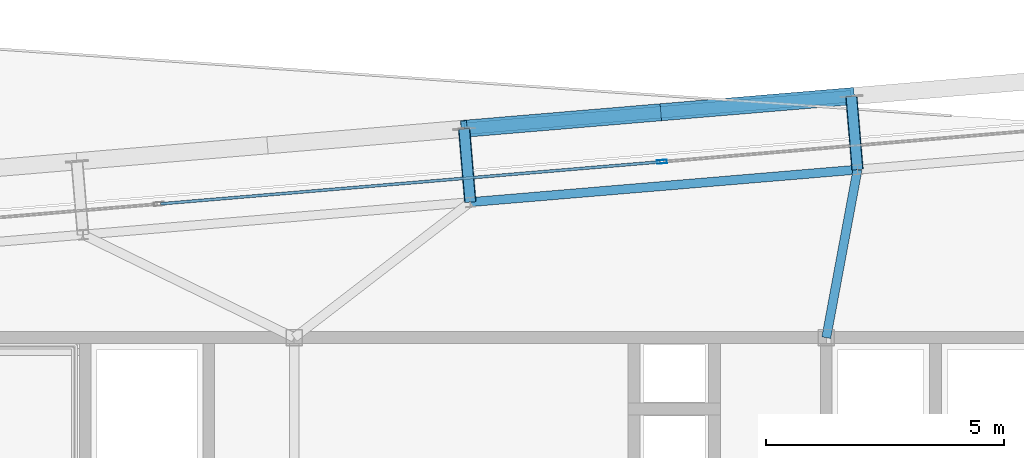
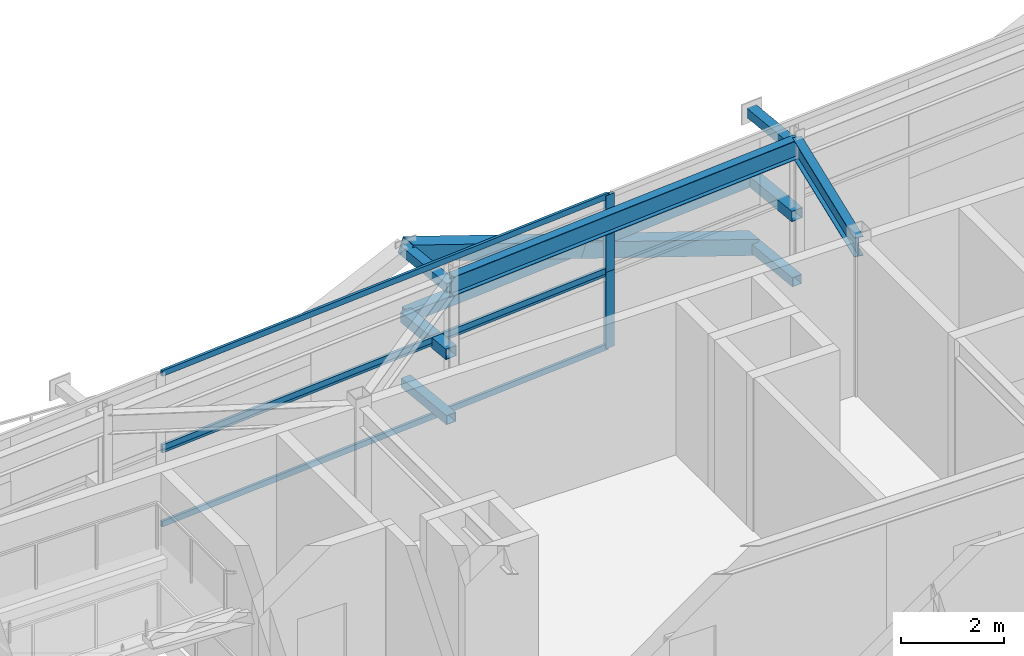
# One storey, part 20 of 38: 15 members, 2 beams, 2 elements without a shape of their own.
"""IFC4 building model written with IfcOpenShell, lengths in metres."""

from ifc_helpers import new_model, si_unit, direction, frame, origin, origin_2d, place, context, subcontext, project, spatial, hollow_rectangle, i_section, extrude, source, transform, mapped, material, layer, layer_set, material_profile, profile_set, type_object, element, aggregate, save


model = new_model("IFC4")

# Units and contexts
model_context = context("Model", 3, precision=1e-05, world=origin(), true_north=direction((0.0, 1.0)))
body_context = subcontext(model_context, "Body", "Model", "MODEL_VIEW")
ifc_project = project(units=[si_unit("LENGTHUNIT", "METRE"), si_unit("AREAUNIT", "SQUARE_METRE"), si_unit("VOLUMEUNIT", "CUBIC_METRE"), si_unit("PLANEANGLEUNIT", "RADIAN"), si_unit("MASSUNIT", "GRAM", prefix="KILO")], contexts=[model_context])

# Site, building, storey
site_placement = place(None, origin())
site = spatial("IfcSite", under=ifc_project, at=site_placement, CompositionType="ELEMENT")
building_placement = place(site_placement, origin())
building = spatial("IfcBuilding", under=site, at=building_placement, Name="Taldren Reach Tower", CompositionType="ELEMENT")
storey_placement = place(building_placement, frame((0.0, 0.0, 168.699951171875)))
storey = spatial("IfcBuildingStorey", under=building, at=storey_placement, Name="L51", CompositionType="ELEMENT", Elevation=168.699951171875)

# Members
ifc_material_1 = material(Name="Steel Gr 350 (C350L0)", Category="steel")
ifc_material_profile_1 = material_profile(ifc_material_1, hollow_rectangle(XDim=0.25, YDim=0.25, WallThickness=0.010009765625, at=origin_2d()), Name="250x250x10.0SHS")
ifc_profile_set_1 = profile_set([ifc_material_profile_1], Name="Steel Gr 350 (C350L0)")
member_type_1 = type_object("IfcMemberType", Name="MB-POST250", PredefinedType="POST", material=ifc_profile_set_1)
shared_shape_1 = source(origin(), body_context, "Body", "SweptSolid", [
    extrude(hollow_rectangle(XDim=0.25, YDim=0.25, WallThickness=0.010009765625, at=origin_2d()), origin(), (0.0, 0.0, 1.0), 1.5498046875),
])
for number, where, z_axis, x_axis, name in (
    (1, (31.706298828125, 34.8525390625, 1.78515625), (-0.083645141657, 0.996495604746, 0.0), (-0.996495604746, -0.083645141657, 0.0), "Exoskeleton mid-tier diaphragm tie B4-N3 L51"),
    (2, (39.857666015625, 35.537109375, 1.78515625), (-0.083645141657, 0.996495604746, 0.0), (-0.996495604746, -0.083645141657, 0.0), "Exoskeleton mid-tier diaphragm tie B4-N4 L51"),
):
    element("IfcMember", number, at=place(storey_placement, frame(where, z_axis=z_axis, x_axis=x_axis)), inside=storey, type_object=member_type_1, Name=name, PredefinedType="POST", context=body_context, shape_type="MappedRepresentation", body=[
        mapped(shared_shape_1, transform((0.0, 0.0, 0.0), scale=1.0)),
    ])

# Beams
ifc_material_2 = material(Name="Steel Gr 350 (350PLUS)", Category="steel")
ifc_material_profile_2 = material_profile(ifc_material_2, i_section(OverallWidth=0.18994140625, OverallDepth=0.4541015625, WebThickness=0.008544921875, FlangeThickness=0.0126953125, at=origin_2d()), Name="460UB67.1")
ifc_profile_set_2 = profile_set([ifc_material_profile_2], Name="Steel Gr 350 (350PLUS)")
beam_type_1 = type_object("IfcBeamType", Name="SP-UB460B", PredefinedType="SPANDREL", material=ifc_profile_set_2)
shared_shape_2 = source(origin(), body_context, "Body", "SweptSolid", [
    extrude(i_section(OverallWidth=0.18994140625, OverallDepth=0.4541015625, WebThickness=0.008544921875, FlangeThickness=0.0126953125, at=origin_2d()), origin(), (0.0, 0.0, 1.0), 8.18017578125),
])
beam_1_placement = place(storey_placement, frame((39.857666015625, 35.537109375, 3.403076171875), z_axis=(-0.996492034688, -0.083687662192, 0.0), x_axis=(0.083687662192, -0.996492034688, 0.0)))
element("IfcBeam", 3, at=beam_1_placement, inside=storey, type_object=beam_type_1, Name="Perimeter spandrel B4 N4-N3 L51", PredefinedType="SPANDREL", context=body_context, shape_type="MappedRepresentation", body=[
    mapped(shared_shape_2, transform((0.0, 0.0, 0.0), scale=1.0)),
])
ifc_material_profile_3 = material_profile(ifc_material_2, i_section(OverallWidth=0.19091796875, OverallDepth=0.4599609375, WebThickness=0.010009765625, FlangeThickness=0.01611328125, at=origin_2d()), Name="460UB82.1")
ifc_profile_set_3 = profile_set([ifc_material_profile_3], Name="Steel Gr 350 (350PLUS)")
beam_type_2 = type_object("IfcBeamType", Name="BM-UB460A", PredefinedType="BEAM", material=ifc_profile_set_3)
shared_shape_3 = source(origin(), body_context, "Body", "SweptSolid", [
    extrude(i_section(OverallWidth=0.19091796875, OverallDepth=0.4599609375, WebThickness=0.010009765625, FlangeThickness=0.01611328125, at=origin_2d()), origin(), (0.0, 0.0, 1.0), 3.59765625),
])
beam_2_placement = place(storey_placement, frame((39.199951171875, 32.0, 3.400146484375), z_axis=(0.182813344882, 0.983147639438, 0.0), x_axis=(-0.983147639438, 0.182813344882, 0.0)))
element("IfcBeam", 4, at=beam_2_placement, inside=storey, type_object=beam_type_2, Name="Primary floor girder B4-N4 L51", PredefinedType="BEAM", context=body_context, shape_type="MappedRepresentation", body=[
    mapped(shared_shape_3, transform((0.0, 0.0, 0.0), scale=1.0)),
])

# Members
ifc_material_3 = material(Name="Steel Gr 450 (C450L0)", Category="steel")
ifc_material_profile_4 = material_profile(ifc_material_3, hollow_rectangle(XDim=0.219970703125, YDim=0.219970703125, WallThickness=0.00830078125, at=origin_2d()), Name="220x220x8.2SHS")
ifc_profile_set_4 = profile_set([ifc_material_profile_4], Name="Steel Gr 450 (C450L0)")
member_type_2 = type_object("IfcMemberType", Name="MB-TIE219", PredefinedType="STRUT", material=ifc_profile_set_4)
shared_shape_4 = source(origin(), body_context, "Body", "SweptSolid", [
    extrude(hollow_rectangle(XDim=0.219970703125, YDim=0.219970703125, WallThickness=0.00830078125, at=origin_2d()), origin(), (0.0, 0.0, 1.0), 1.5498046875),
])
for number, where, z_axis, x_axis, name in (
    (5, (31.706298828125, 34.8525390625, 3.35009765625), (-0.083645141657, 0.996495604746, 0.0), (-0.996495604746, -0.083645141657, 0.0), "Exoskeleton diaphragm tie strut B4-N3 L51"),
    (6, (31.706298828125, 34.8525390625, 0.219970703125), (-0.083645141657, 0.996495604746, 0.0), (-0.996495604746, -0.083645141657, 0.0), "Exoskeleton base diaphragm tie strut B4-N3 L51"),
    (7, (39.857666015625, 35.537109375, 3.35009765625), (-0.083645141657, 0.996495604746, 0.0), (-0.996495604746, -0.083645141657, 0.0), "Exoskeleton diaphragm tie strut B4-N4 L51"),
    (8, (39.857666015625, 35.537109375, 0.219970703125), (-0.083645141657, 0.996495604746, 0.0), (-0.996495604746, -0.083645141657, 0.0), "Exoskeleton base diaphragm tie strut B4-N4 L51"),
):
    element("IfcMember", number, at=place(storey_placement, frame(where, z_axis=z_axis, x_axis=x_axis)), inside=storey, type_object=member_type_2, Name=name, PredefinedType="STRUT", context=body_context, shape_type="MappedRepresentation", body=[
        mapped(shared_shape_4, transform((0.0, 0.0, 0.0), scale=1.0)),
    ])
ifc_material_profile_5 = material_profile(ifc_material_3, hollow_rectangle(XDim=0.360107421875, YDim=0.360107421875, WallThickness=0.0126953125, at=origin_2d()), Name="360x360x12.7SHS")
ifc_profile_set_5 = profile_set([ifc_material_profile_5], Name="Steel Gr 450 (C450L0)")
member_type_3 = type_object("IfcMemberType", Name="MB-EXO356", PredefinedType="BRACE", material=ifc_profile_set_5)
shared_shape_5 = source(origin(), body_context, "Body", "SweptSolid", [
    extrude(hollow_rectangle(XDim=0.360107421875, YDim=0.360107421875, WallThickness=0.0126953125, at=origin_2d()), origin(), (0.0, 0.0, 1.0), 4.379150390625),
])
member_1_placement = place(storey_placement, frame((35.65234375, 36.7392578125, 1.78515625), z_axis=(-0.930691240049, -0.078161562151, 0.357357784157), x_axis=(0.083687662192, -0.996492034688, 0.0)))
element("IfcMember", 9, at=member_1_placement, inside=storey, type_object=member_type_3, Name="Exoskeleton Diagrid Brace B4-N3 L51", PredefinedType="BRACE", context=body_context, shape_type="MappedRepresentation", body=[
    mapped(shared_shape_5, transform((0.0, 0.0, 0.0), scale=1.0)),
])
shared_shape_6 = source(origin(), body_context, "Body", "SweptSolid", [
    extrude(hollow_rectangle(XDim=0.360107421875, YDim=0.360107421875, WallThickness=0.0126953125, at=origin_2d()), origin(), (0.0, 0.0, 1.0), 4.37939453125),
])
member_2_placement = place(storey_placement, frame((39.72802734375, 37.08154296875, 0.219970703125), z_axis=(-0.930672697263, -0.078160004886, 0.357406413212), x_axis=(0.083687662192, -0.996492034688, 0.0)))
element("IfcMember", 10, at=member_2_placement, inside=storey, type_object=member_type_3, Name="Exoskeleton Diagrid Brace B4-N3 L51", PredefinedType="BRACE", context=body_context, shape_type="MappedRepresentation", body=[
    mapped(shared_shape_6, transform((0.0, 0.0, 0.0), scale=1.0)),
])
shared_shape_7 = source(origin(), body_context, "Body", "SweptSolid", [
    extrude(hollow_rectangle(XDim=0.25, YDim=0.25, WallThickness=0.010009765625, at=origin_2d()), origin(), (0.0, 0.0, 1.0), 8.18017578125),
])
member_3_placement = place(storey_placement, frame((31.57666015625, 36.39697265625, 1.78515625), z_axis=(0.996492034688, 0.083687662192, 0.0), x_axis=(-0.083687662192, 0.996492034688, 0.0)))
element("IfcMember", 11, at=member_3_placement, inside=storey, type_object=member_type_1, Name="Exoskeleton mid-height ring chord B4-N3 L51", PredefinedType="POST", context=body_context, shape_type="MappedRepresentation", body=[
    mapped(shared_shape_7, transform((0.0, 0.0, 0.0), scale=1.0)),
])

# Curtain wall, member
ifc_material_4 = material(Name="Aluminium and Low-E Glass Unitised System", Category="aluminium")
ifc_layer = layer(ifc_material_4, 0.159912109375)
ifc_layer_set = layer_set([ifc_layer], Name="Aluminium and Low-E Glass Unitised System")
curtain_wall_type = type_object("IfcCurtainWallType", Name="CW-SYS-7", PredefinedType="NOTDEFINED", material=ifc_layer_set)
curtain_wall_1_placement = place(storey_placement, origin())
curtain_wall_1 = element("IfcCurtainWall", 12, at=curtain_wall_1_placement, inside=storey, type_object=curtain_wall_type, Name="Unitised curtain wall CW-L51-N", PredefinedType="NOTDEFINED")
ifc_material_5 = material(Name="Anodised Aluminium 6063-T6", Category="aluminium")
ifc_material_profile_6 = material_profile(ifc_material_5, hollow_rectangle(XDim=0.074951171875, YDim=0.2099609375, WallThickness=0.00439453125, at=origin_2d()), Name="ALU-210x75x4.5RHS")
ifc_profile_set_6 = profile_set([ifc_material_profile_6], Name="Anodised Aluminium 6063-T6")
member_type_4 = type_object("IfcMemberType", Name="CW-MUL-200", PredefinedType="MULLION", material=ifc_profile_set_6)
shared_shape_8 = source(origin(), body_context, "Body", "SweptSolid", [
    extrude(hollow_rectangle(XDim=0.074951171875, YDim=0.2099609375, WallThickness=0.00439453125, at=origin_2d()), origin(), (0.0, 0.0, 1.0), 1.81494140625),
])
member_4_placement = place(storey_placement, frame((35.739501953125, 35.702880859375, 0.0), z_axis=(0.0, 0.0, 1.0), x_axis=(0.083677875247, -0.99649285657, 0.0)))
member_4 = element("IfcMember", 13, at=member_4_placement, type_object=member_type_4, Name="CW-7 mullion 3", PredefinedType="MULLION", context=body_context, shape_type="MappedRepresentation", body=[
    mapped(shared_shape_8, transform((0.0, 0.0, 0.0), scale=1.0)),
])

curtain_wall_2_placement = place(storey_placement, origin())
curtain_wall_2 = element("IfcCurtainWall", 14, at=curtain_wall_2_placement, inside=storey, type_object=curtain_wall_type, Name="Unitised curtain wall CW-L51-N-T2", PredefinedType="NOTDEFINED")
shared_shape_9 = source(origin(), body_context, "Body", "SweptSolid", [
    extrude(hollow_rectangle(XDim=0.074951171875, YDim=0.2099609375, WallThickness=0.00439453125, at=origin_2d()), origin(), (0.0, 0.0, 1.0), 1.815185546875),
])
member_5_placement = place(storey_placement, frame((35.739501953125, 35.702880859375, 1.81494140625), z_axis=(0.0, 0.0, 1.0), x_axis=(0.083677875247, -0.99649285657, 0.0)))
member_5 = element("IfcMember", 15, at=member_5_placement, type_object=member_type_4, Name="CW-7 mullion 3", PredefinedType="MULLION", context=body_context, shape_type="MappedRepresentation", body=[
    mapped(shared_shape_9, transform((0.0, 0.0, 0.0), scale=1.0)),
])

# Member
ifc_material_profile_7 = material_profile(ifc_material_5, hollow_rectangle(XDim=0.06005859375, YDim=0.135009765625, WallThickness=0.00341796875, at=origin_2d()), Name="ALU-135x60x3.5RHS")
ifc_profile_set_7 = profile_set([ifc_material_profile_7], Name="Anodised Aluminium 6063-T6")
member_type_5 = type_object("IfcMemberType", Name="CW-TRN-150", PredefinedType="USERDEFINED", material=ifc_profile_set_7)
shared_shape_10 = source(origin(), body_context, "Body", "SweptSolid", [
    extrude(hollow_rectangle(XDim=0.06005859375, YDim=0.135009765625, WallThickness=0.00341796875, at=origin_2d()), origin(), (0.0, 0.0, 1.0), 10.55029296875),
])
member_6_placement = place(storey_placement, frame((35.7021484375, 35.699951171875, 0.030029296875), z_axis=(-0.996492892382, -0.083677448768, 0.0), x_axis=(0.083677448768, -0.996492892382, 0.0)))
member_6 = element("IfcMember", 16, at=member_6_placement, type_object=member_type_5, Name="CW-7 transom 3.1", ObjectType="TRANSOM", PredefinedType="USERDEFINED", context=body_context, shape_type="MappedRepresentation", body=[
    mapped(shared_shape_10, transform((0.0, 0.0, 0.0), scale=1.0)),
])

member_7_placement = place(storey_placement, frame((35.7021484375, 35.699951171875, 1.78515625), z_axis=(-0.996492892382, -0.083677448768, 0.0), x_axis=(0.083677448768, -0.996492892382, 0.0)))
member_7 = element("IfcMember", 17, at=member_7_placement, type_object=member_type_5, Name="CW-7 transom 3.2", ObjectType="TRANSOM", PredefinedType="USERDEFINED", context=body_context, shape_type="MappedRepresentation", body=[
    mapped(shared_shape_10, transform((0.0, 0.0, 0.0), scale=1.0)),
])

aggregate(curtain_wall_1, [member_4, member_6, member_7])

member_8_placement = place(storey_placement, frame((35.7021484375, 35.699951171875, 1.844970703125), z_axis=(-0.996492892382, -0.083677448768, 0.0), x_axis=(0.083677448768, -0.996492892382, 0.0)))
member_8 = element("IfcMember", 18, at=member_8_placement, type_object=member_type_5, Name="CW-7 transom 3.1", ObjectType="TRANSOM", PredefinedType="USERDEFINED", context=body_context, shape_type="MappedRepresentation", body=[
    mapped(shared_shape_10, transform((0.0, 0.0, 0.0), scale=1.0)),
])

member_9_placement = place(storey_placement, frame((35.7021484375, 35.699951171875, 3.60009765625), z_axis=(-0.996492892382, -0.083677448768, 0.0), x_axis=(0.083677448768, -0.996492892382, 0.0)))
member_9 = element("IfcMember", 19, at=member_9_placement, type_object=member_type_5, Name="CW-7 transom 3.2", ObjectType="TRANSOM", PredefinedType="USERDEFINED", context=body_context, shape_type="MappedRepresentation", body=[
    mapped(shared_shape_10, transform((0.0, 0.0, 0.0), scale=1.0)),
])

aggregate(curtain_wall_2, [member_5, member_8, member_9])

save(model, "model.ifc")
